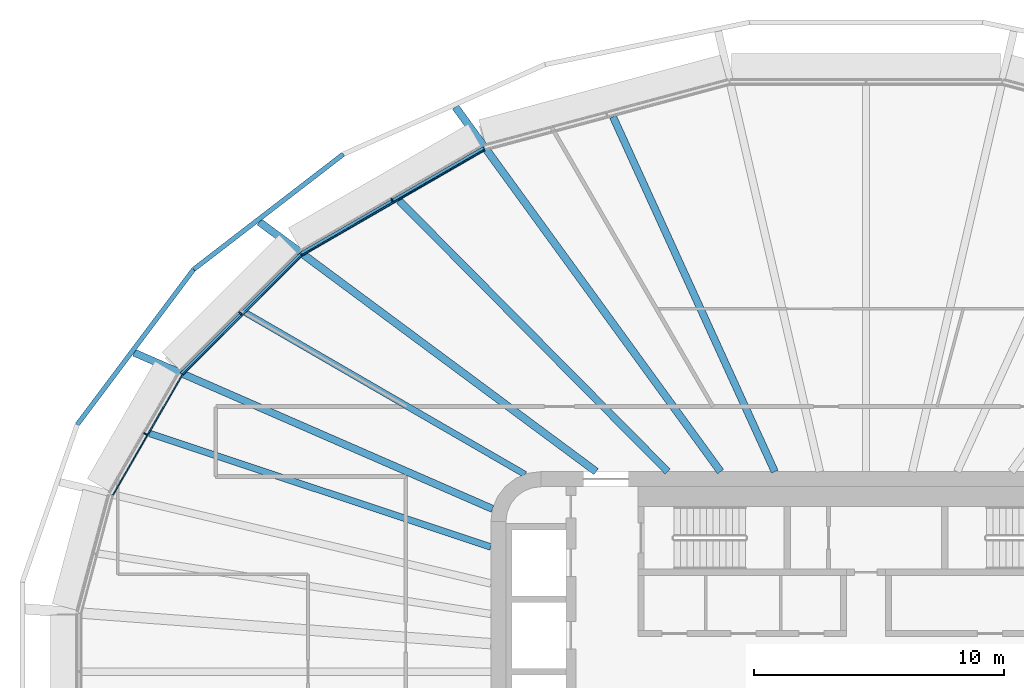
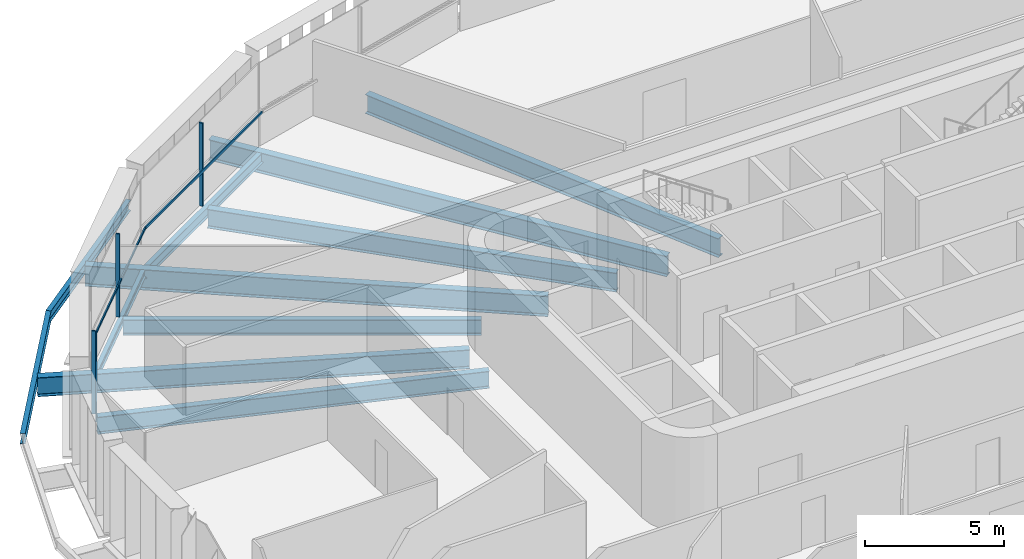
# One storey, part 7 of 25: 11 beams, 6 members, 3 elements without a shape of their own.
"""IFC4 building model written with IfcOpenShell, lengths in metres."""

from ifc_helpers import new_model, si_unit, direction, frame, origin, origin_2d, place, context, subcontext, project, spatial, rectangle, i_section, extrude, material, layer, layer_set, material_profile, profile_set, type_object, element, aggregate, save


model = new_model("IFC4")

# Units and contexts
model_context = context("Model", 3, precision=1e-05, world=origin(), true_north=direction((0.0, 1.0)))
body_context = subcontext(model_context, "Body", "Model", "MODEL_VIEW")
ifc_project = project(units=[si_unit("LENGTHUNIT", "METRE"), si_unit("AREAUNIT", "SQUARE_METRE"), si_unit("VOLUMEUNIT", "CUBIC_METRE"), si_unit("PLANEANGLEUNIT", "RADIAN"), si_unit("MASSUNIT", "GRAM", prefix="KILO")], contexts=[model_context])

# Site, building, storey
site_placement = place(None, origin())
site = spatial("IfcSite", under=ifc_project, at=site_placement, CompositionType="ELEMENT")
building_placement = place(site_placement, origin())
building = spatial("IfcBuilding", under=site, at=building_placement, Name="Sahrelin Media Tower", CompositionType="ELEMENT")
storey_placement = place(building_placement, frame((0.0, 0.0, 139.800048828125)))
storey = spatial("IfcBuildingStorey", under=building, at=storey_placement, Name="L28", CompositionType="ELEMENT", Elevation=139.800048828125)

# Beams
ifc_material_1 = material(Name="Steel S355", Category="steel")
ifc_material_profile_1 = material_profile(ifc_material_1, i_section(OverallWidth=0.17138671875, OverallDepth=0.35498046875, WebThickness=0.00732421875, FlangeThickness=0.011474609375, FilletRadius=0.01025390625, at=origin_2d()), Name="UB 356x171x51")
ifc_profile_set_1 = profile_set([ifc_material_profile_1], Name="Steel S355")
beam_type_1 = type_object("IfcBeamType", Name="Edge beam EB3", PredefinedType="BEAM", material=ifc_profile_set_1)
beam_1_placement = place(storey_placement, frame((-27.36474609375, 11.903564453125, -0.32763671875), z_axis=(0.707106781187, 0.707106781187, 0.0), x_axis=(-0.707106781187, 0.707106781187, 0.0)))
element("IfcBeam", 1, at=beam_1_placement, inside=storey, type_object=beam_type_1, Name="Edge beam L28-16", PredefinedType="BEAM", context=body_context, shape_type="SweptSolid", body=[
    extrude(i_section(OverallWidth=0.17138671875, OverallDepth=0.35498046875, WebThickness=0.00732421875, FlangeThickness=0.011474609375, FilletRadius=0.01025390625, at=origin_2d()), origin(), (0.0, 0.0, 1.0), 6.751953125),
])
ifc_material_profile_2 = material_profile(ifc_material_1, i_section(OverallWidth=0.1904296875, OverallDepth=0.45703125, WebThickness=0.009033203125, FlangeThickness=0.014404296875, FilletRadius=0.01025390625, at=origin_2d()), Name="UB 457x191x74")
ifc_profile_set_2 = profile_set([ifc_material_profile_2], Name="Steel S355")
beam_type_2 = type_object("IfcBeamType", Name="Edge beam EB5", PredefinedType="BEAM", material=ifc_profile_set_2)
beam_2_placement = place(storey_placement, frame((-22.5673828125, 16.695556640625, -0.378662109375), z_axis=(0.866028896434, 0.499993950504, 0.0), x_axis=(-0.499993950504, 0.866028896434, 0.0)))
element("IfcBeam", 2, at=beam_2_placement, inside=storey, type_object=beam_type_2, Name="Edge beam L28-17", PredefinedType="BEAM", context=body_context, shape_type="SweptSolid", body=[
    extrude(i_section(OverallWidth=0.1904296875, OverallDepth=0.45703125, WebThickness=0.009033203125, FlangeThickness=0.014404296875, FilletRadius=0.01025390625, at=origin_2d()), origin(), (0.0, 0.0, 1.0), 8.4326171875),
])

# Curtain wall, member
ifc_material_2 = material(Name="Champagne anodised aluminium 6063-T6", Category="aluminium")
ifc_layer = layer(ifc_material_2, 0.14990234375)
ifc_layer_set = layer_set([ifc_layer], Name="Tower ribbon curtain wall")
curtain_wall_type = type_object("IfcCurtainWallType", Name="Tower ribbon curtain wall", PredefinedType="NOTDEFINED", material=ifc_layer_set)
curtain_wall_1_placement = place(storey_placement, frame((-18.990966796875, 18.93359375, 0.0), z_axis=(0.0, 0.0, 1.0), x_axis=(1.0, 0.0, 0.0)))
curtain_wall_1 = element("IfcCurtainWall", 3, at=curtain_wall_1_placement, inside=storey, type_object=curtain_wall_type, Name="L28:CW:L28-08", PredefinedType="NOTDEFINED")
ifc_material_profile_3 = material_profile(ifc_material_2, rectangle(XDim=0.06005859375, YDim=0.14990234375, at=origin_2d()), Name="Mullion 60x150")
ifc_profile_set_3 = profile_set([ifc_material_profile_3], Name="Champagne anodised aluminium 6063-T6")
member_type_1 = type_object("IfcMemberType", Name="Mullion 60x150 CW1", PredefinedType="MULLION", material=ifc_profile_set_3)
member_1_placement = place(storey_placement, frame((-18.943603515625, 18.851318359375, 0.0), z_axis=(0.0, 0.0, 1.0), x_axis=(-0.866027149108, -0.499996976998, 0.0)))
member_1 = element("IfcMember", 4, at=member_1_placement, type_object=member_type_1, Name="L28:CWM:L28-08", PredefinedType="MULLION", context=body_context, shape_type="SweptSolid", body=[
    extrude(rectangle(XDim=0.06005859375, YDim=0.14990234375, at=origin_2d()), origin(), (0.0, 0.0, 1.0), 3.6484375),
])

curtain_wall_2_placement = place(storey_placement, frame((-25.08349609375, 14.39697265625, 0.0), z_axis=(0.0, 0.0, 1.0), x_axis=(1.0, 0.0, 0.0)))
curtain_wall_2 = element("IfcCurtainWall", 5, at=curtain_wall_2_placement, inside=storey, type_object=curtain_wall_type, Name="L28:CW:L28-09", PredefinedType="NOTDEFINED")
member_2_placement = place(storey_placement, frame((-25.016357421875, 14.32958984375, 0.0), z_axis=(0.0, 0.0, 1.0), x_axis=(-0.707106781187, -0.707106781187, 0.0)))
member_2 = element("IfcMember", 6, at=member_2_placement, type_object=member_type_1, Name="L28:CWM:L28-09", PredefinedType="MULLION", context=body_context, shape_type="SweptSolid", body=[
    extrude(rectangle(XDim=0.06005859375, YDim=0.14990234375, at=origin_2d()), origin(), (0.0, 0.0, 1.0), 3.6484375),
])

curtain_wall_3_placement = place(storey_placement, frame((-28.8984375, 9.5546875, 0.0), z_axis=(0.0, 0.0, 1.0), x_axis=(1.0, 0.0, 0.0)))
curtain_wall_3 = element("IfcCurtainWall", 7, at=curtain_wall_3_placement, inside=storey, type_object=curtain_wall_type, Name="L28:CW:L28-10", PredefinedType="NOTDEFINED")
member_3_placement = place(storey_placement, frame((-28.816162109375, 9.507080078125, 0.0), z_axis=(0.0, 0.0, 1.0), x_axis=(-0.49999395399, -0.866028894422, 0.0)))
member_3 = element("IfcMember", 8, at=member_3_placement, type_object=member_type_1, Name="L28:CWM:L28-10", PredefinedType="MULLION", context=body_context, shape_type="SweptSolid", body=[
    extrude(rectangle(XDim=0.06005859375, YDim=0.14990234375, at=origin_2d()), origin(), (0.0, 0.0, 1.0), 3.6484375),
])

# Beams
ifc_material_profile_4 = material_profile(ifc_material_1, i_section(OverallWidth=0.291748046875, OverallDepth=0.8349609375, WebThickness=0.013916015625, FlangeThickness=0.018798828125, FilletRadius=0.017822265625, at=origin_2d()), Name="UB 838x292x176")
ifc_profile_set_4 = profile_set([ifc_material_profile_4], Name="Steel S355")
beam_type_3 = type_object("IfcBeamType", Name="Radial primary beam PB10", PredefinedType="BEAM", material=ifc_profile_set_4)
beam_3_placement = place(storey_placement, frame((-14.93310546875, 6.509521484375, -0.5673828125), z_axis=(-0.916689949719, 0.399599219324, 0.0), x_axis=(-0.399599219324, -0.916689949719, 0.0)))
element("IfcBeam", 9, at=beam_3_placement, inside=storey, type_object=beam_type_3, Name="Radial beam L28-10", PredefinedType="BEAM", context=body_context, shape_type="SweptSolid", body=[
    extrude(i_section(OverallWidth=0.291748046875, OverallDepth=0.8349609375, WebThickness=0.013916015625, FlangeThickness=0.018798828125, FilletRadius=0.017822265625, at=origin_2d()), origin(), (0.0, 0.0, 1.0), 15.63037109375),
])
ifc_material_profile_5 = material_profile(ifc_material_1, i_section(OverallWidth=0.30322265625, OverallDepth=0.903076171875, WebThickness=0.01513671875, FlangeThickness=0.020263671875, FilletRadius=0.01904296875, at=origin_2d()), Name="UB 914x305x201")
ifc_profile_set_5 = profile_set([ifc_material_profile_5], Name="Steel S355")
beam_type_4 = type_object("IfcBeamType", Name="Radial primary beam PB11", PredefinedType="BEAM", material=ifc_profile_set_5)
beam_4_placement = place(storey_placement, frame((-5.81591796875, 8.0, -0.6015625), z_axis=(-0.588033974644, 0.80883622858, 0.0), x_axis=(-0.80883622858, -0.588033974644, 0.0)))
element("IfcBeam", 10, at=beam_4_placement, inside=storey, type_object=beam_type_4, Name="Radial beam L28-08", PredefinedType="BEAM", context=body_context, shape_type="SweptSolid", body=[
    extrude(i_section(OverallWidth=0.30322265625, OverallDepth=0.903076171875, WebThickness=0.01513671875, FlangeThickness=0.020263671875, FilletRadius=0.01904296875, at=origin_2d()), origin(), (0.0, 0.0, 1.0), 18.025146484375),
])
beam_5_placement = place(storey_placement, frame((-10.791015625, 8.0, -0.6015625), z_axis=(-0.803313092893, 0.59555694504, 0.0), x_axis=(-0.59555694504, -0.803313092893, 0.0)))
element("IfcBeam", 11, at=beam_5_placement, inside=storey, type_object=beam_type_4, Name="Radial beam L28-09", PredefinedType="BEAM", context=body_context, shape_type="SweptSolid", body=[
    extrude(i_section(OverallWidth=0.30322265625, OverallDepth=0.903076171875, WebThickness=0.01513671875, FlangeThickness=0.020263671875, FilletRadius=0.01904296875, at=origin_2d()), origin(), (0.0, 0.0, 1.0), 16.765625),
])
ifc_material_profile_6 = material_profile(ifc_material_1, i_section(OverallWidth=0.291748046875, OverallDepth=0.8349609375, WebThickness=0.013916015625, FlangeThickness=0.018798828125, FilletRadius=0.017822265625, at=origin_2d()), Name="UB 838x292x176")
ifc_profile_set_6 = profile_set([ifc_material_profile_6], Name="Steel S355")
beam_type_5 = type_object("IfcBeamType", Name="Radial secondary beam SB10", PredefinedType="BEAM", material=ifc_profile_set_6)
beam_6_placement = place(storey_placement, frame((-3.64697265625, 8.0, -0.5673828125), z_axis=(-0.414807797457, 0.909909056538, 0.0), x_axis=(-0.909909056538, -0.414807797457, 0.0)))
element("IfcBeam", 12, at=beam_6_placement, inside=storey, type_object=beam_type_5, Name="Secondary beam L28-07", PredefinedType="BEAM", context=body_context, shape_type="SweptSolid", body=[
    extrude(i_section(OverallWidth=0.291748046875, OverallDepth=0.8349609375, WebThickness=0.013916015625, FlangeThickness=0.018798828125, FilletRadius=0.017822265625, at=origin_2d()), origin(), (0.0, 0.0, 1.0), 15.59228515625),
])
beam_7_placement = place(storey_placement, frame((-7.92578125, 8.0, -0.5673828125), z_axis=(-0.703794822352, 0.710403299563, 0.0), x_axis=(-0.710403299563, -0.703794822352, 0.0)))
element("IfcBeam", 13, at=beam_7_placement, inside=storey, type_object=beam_type_5, Name="Secondary beam L28-08", PredefinedType="BEAM", context=body_context, shape_type="SweptSolid", body=[
    extrude(i_section(OverallWidth=0.291748046875, OverallDepth=0.8349609375, WebThickness=0.013916015625, FlangeThickness=0.018798828125, FilletRadius=0.017822265625, at=origin_2d()), origin(), (0.0, 0.0, 1.0), 15.257568359375),
])
ifc_material_profile_7 = material_profile(ifc_material_1, i_section(OverallWidth=0.2529296875, OverallDepth=0.677978515625, WebThickness=0.01171875, FlangeThickness=0.01611328125, FilletRadius=0.01513671875, at=origin_2d()), Name="UB 686x254x125")
ifc_profile_set_7 = profile_set([ifc_material_profile_7], Name="Steel S355")
beam_type_6 = type_object("IfcBeamType", Name="Radial secondary beam SB8", PredefinedType="BEAM", material=ifc_profile_set_7)
beam_8_placement = place(storey_placement, frame((-13.62939453125, 7.885498046875, -0.489013671875), z_axis=(-0.865569164292, 0.500789398676, 0.0), x_axis=(-0.500789398676, -0.865569164292, 0.0)))
element("IfcBeam", 14, at=beam_8_placement, inside=storey, type_object=beam_type_6, Name="Secondary beam L28-09", PredefinedType="BEAM", context=body_context, shape_type="SweptSolid", body=[
    extrude(i_section(OverallWidth=0.2529296875, OverallDepth=0.677978515625, WebThickness=0.01171875, FlangeThickness=0.01611328125, FilletRadius=0.01513671875, at=origin_2d()), origin(), (0.0, 0.0, 1.0), 12.904541015625),
])
ifc_material_profile_8 = material_profile(ifc_material_1, i_section(OverallWidth=0.26513671875, OverallDepth=0.75390625, WebThickness=0.0126953125, FlangeThickness=0.017578125, FilletRadius=0.0166015625, at=origin_2d()), Name="UB 762x267x147")
ifc_profile_set_8 = profile_set([ifc_material_profile_8], Name="Steel S355")
beam_type_7 = type_object("IfcBeamType", Name="Radial secondary beam SB9", PredefinedType="BEAM", material=ifc_profile_set_8)
beam_9_placement = place(storey_placement, frame((-15.0, 4.9873046875, -0.527099609375), z_axis=(-0.948922383089, 0.315509605039, 0.0), x_axis=(-0.315509605039, -0.948922383089, 0.0)))
element("IfcBeam", 15, at=beam_9_placement, inside=storey, type_object=beam_type_7, Name="Secondary beam L28-10", PredefinedType="BEAM", context=body_context, shape_type="SweptSolid", body=[
    extrude(i_section(OverallWidth=0.26513671875, OverallDepth=0.75390625, WebThickness=0.0126953125, FlangeThickness=0.017578125, FilletRadius=0.0166015625, at=origin_2d()), origin(), (0.0, 0.0, 1.0), 14.3818359375),
])
ifc_material_profile_9 = material_profile(ifc_material_1, i_section(OverallWidth=0.1904296875, OverallDepth=0.45703125, WebThickness=0.009033203125, FlangeThickness=0.014404296875, FilletRadius=0.01025390625, at=origin_2d()), Name="UB 457x191x74")
ifc_profile_set_9 = profile_set([ifc_material_profile_9], Name="Steel S355")
beam_type_8 = type_object("IfcBeamType", Name="Tie chord TC5", PredefinedType="BEAM", material=ifc_profile_set_9)
beam_10_placement = place(storey_placement, frame((-20.899658203125, 20.690673828125, -0.378662109375), z_axis=(-0.792447216205, -0.609940496711, 0.0), x_axis=(0.609940496711, -0.792447216205, 0.0)))
element("IfcBeam", 16, at=beam_10_placement, inside=storey, type_object=beam_type_8, Name="Tie chord L28-09", PredefinedType="BEAM", context=body_context, shape_type="SweptSolid", body=[
    extrude(i_section(OverallWidth=0.1904296875, OverallDepth=0.45703125, WebThickness=0.009033203125, FlangeThickness=0.014404296875, FilletRadius=0.01025390625, at=origin_2d()), origin(), (0.0, 0.0, 1.0), 7.548583984375),
])
beam_11_placement = place(storey_placement, frame((-26.881591796875, 16.08642578125, -0.378662109375), z_axis=(-0.600060372232, -0.799954717266, 0.0), x_axis=(0.799954717266, -0.600060372232, 0.0)))
element("IfcBeam", 17, at=beam_11_placement, inside=storey, type_object=beam_type_8, Name="Tie chord L28-10", PredefinedType="BEAM", context=body_context, shape_type="SweptSolid", body=[
    extrude(i_section(OverallWidth=0.1904296875, OverallDepth=0.45703125, WebThickness=0.009033203125, FlangeThickness=0.014404296875, FilletRadius=0.01025390625, at=origin_2d()), origin(), (0.0, 0.0, 1.0), 7.76416015625),
])

# Member
ifc_material_profile_10 = material_profile(ifc_material_2, rectangle(XDim=0.050048828125, YDim=0.10009765625, at=origin_2d()), Name="Transom 50x100")
ifc_profile_set_10 = profile_set([ifc_material_profile_10], Name="Champagne anodised aluminium 6063-T6")
member_type_2 = type_object("IfcMemberType", Name="Transom 50x100 CW1", PredefinedType="USERDEFINED", material=ifc_profile_set_10)
member_4_placement = place(storey_placement, frame((-15.255615234375, 20.864990234375, 1.599853515625), z_axis=(-0.866020563817, -0.500008382975, 0.0), x_axis=(0.500008382975, -0.866020563817, 0.0)))
member_4 = element("IfcMember", 18, at=member_4_placement, type_object=member_type_2, Name="L28:CWT:L28-08", ObjectType="TRANSOM", PredefinedType="USERDEFINED", context=body_context, shape_type="SweptSolid", body=[
    extrude(rectangle(XDim=0.050048828125, YDim=0.10009765625, at=origin_2d()), origin(), (0.0, 0.0, 1.0), 8.401123046875),
])

aggregate(curtain_wall_1, [member_1, member_4])

member_5_placement = place(storey_placement, frame((-22.569580078125, 16.635009765625, 1.599853515625), z_axis=(-0.707106781187, -0.707106781187, 0.0), x_axis=(0.707106781187, -0.707106781187, 0.0)))
member_5 = element("IfcMember", 19, at=member_5_placement, type_object=member_type_2, Name="L28:CWT:L28-09", ObjectType="TRANSOM", PredefinedType="USERDEFINED", context=body_context, shape_type="SweptSolid", body=[
    extrude(rectangle(XDim=0.050048828125, YDim=0.10009765625, at=origin_2d()), origin(), (0.0, 0.0, 1.0), 6.720703125),
])

aggregate(curtain_wall_2, [member_2, member_5])

member_6_placement = place(storey_placement, frame((-27.35107421875, 11.844482421875, 1.599853515625), z_axis=(-0.500006091826, -0.866021886639, 0.0), x_axis=(0.866021886639, -0.500006091826, 0.0)))
member_6 = element("IfcMember", 20, at=member_6_placement, type_object=member_type_2, Name="L28:CWT:L28-10", ObjectType="TRANSOM", PredefinedType="USERDEFINED", context=body_context, shape_type="SweptSolid", body=[
    extrude(rectangle(XDim=0.050048828125, YDim=0.10009765625, at=origin_2d()), origin(), (0.0, 0.0, 1.0), 5.513671875),
])

aggregate(curtain_wall_3, [member_3, member_6])

save(model, "model.ifc")
